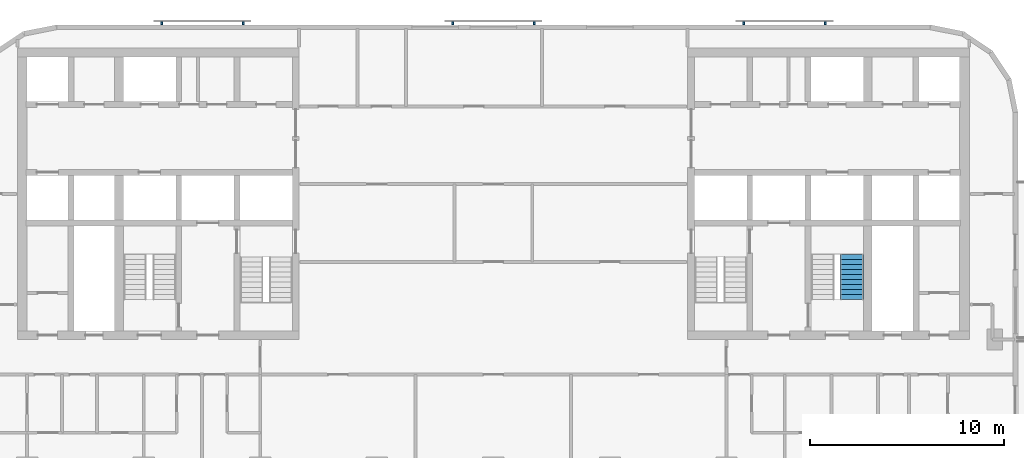
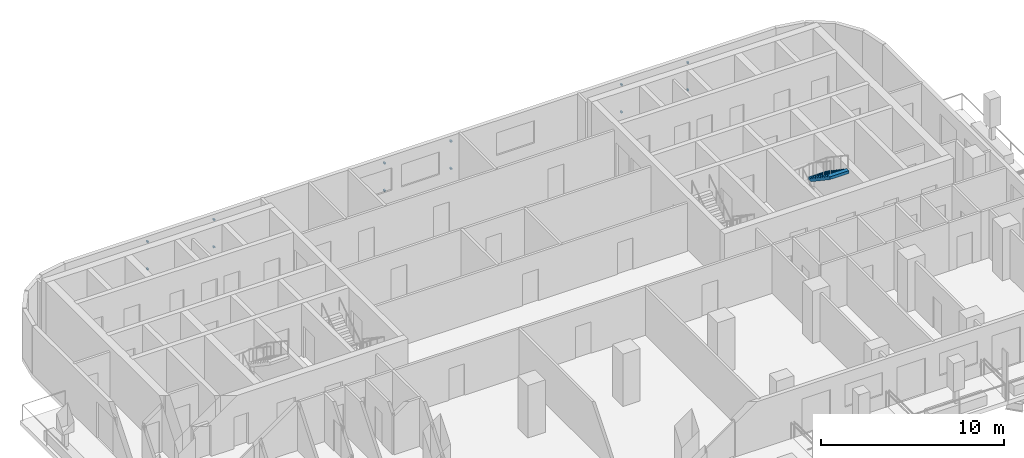
# One storey, part 8 of 11: 12 discrete accessories, 1 stair flight, 1 element without a shape of its own.
"""IFC4 building model written with IfcOpenShell, lengths in metres."""

from ifc_helpers import new_model, si_unit, direction, frame, origin, origin_2d, place, context, subcontext, project, spatial, polyline, rectangle, outline, extrude, material, type_object, element, aggregate, save


model = new_model("IFC4")

# Units and contexts
model_context = context("Model", 3, precision=1e-05, world=origin(), true_north=direction((0.0, 1.0)))
body_context = subcontext(model_context, "Body", "Model", "MODEL_VIEW")
ifc_project = project(units=[si_unit("LENGTHUNIT", "METRE"), si_unit("AREAUNIT", "SQUARE_METRE"), si_unit("VOLUMEUNIT", "CUBIC_METRE"), si_unit("PLANEANGLEUNIT", "RADIAN"), si_unit("MASSUNIT", "GRAM", prefix="KILO")], contexts=[model_context])

# Site, building, storey
site_placement = place(None, origin())
site = spatial("IfcSite", under=ifc_project, at=site_placement, CompositionType="ELEMENT")
building_placement = place(site_placement, origin())
building = spatial("IfcBuilding", under=site, at=building_placement, Name="Torana Hotel and Residences", CompositionType="ELEMENT")
storey_placement = place(building_placement, frame((0.0, 0.0, 183.60009765625)))
storey = spatial("IfcBuildingStorey", under=building, at=storey_placement, Name="L47", CompositionType="ELEMENT", Elevation=183.60009765625)

# Stair, stair flight
ifc_material_1 = material(Name="Concrete C40/50 precast", Category="concrete")
stair_type = type_object("IfcStairType", Name="STAIR ST4 HALF TURN 1200", PredefinedType="HALF_TURN_STAIR", material=ifc_material_1)
stair_placement = place(storey_placement, origin())
stair = element("IfcStair", 1, at=stair_placement, inside=storey, type_object=stair_type, Name="Stair ST4 L47", PredefinedType="HALF_TURN_STAIR")
ifc_material_2 = material(Name="Concrete C40/50 precast", Category="concrete")
stair_flight_type = type_object("IfcStairFlightType", Name="STAIR FLIGHT 1200 PRECAST", PredefinedType="STRAIGHT", material=ifc_material_2)
stair_flight_placement = place(storey_placement, frame((18.449951171875, -10.610107421875, 1.75), z_axis=(0.0, 0.0, 1.0), x_axis=(0.0, -1.0, 0.0)))
stair_flight = element("IfcStairFlight", 2, at=stair_flight_placement, type_object=stair_flight_type, Name="ST4 flight 2", NumberOfRisers=10, NumberOfTreads=9, PredefinedType="STRAIGHT", RiserHeight=0.175, TreadLength=0.26, context=body_context, shape_type="SweptSolid", body=[
    extrude(outline(polyline([(0.0, 0.0), (0.0, 0.175048828125), (0.260009765625, 0.175048828125), (0.260009765625, 0.35009765625), (0.52001953125, 0.35009765625), (0.52001953125, 0.52490234375), (0.780029296875, 0.52490234375), (0.780029296875, 0.699951171875), (1.0400390625, 0.699951171875), (1.0400390625, 0.875), (1.300048828125, 0.875), (1.300048828125, 1.050048828125), (1.56005859375, 1.050048828125), (1.56005859375, 1.22509765625), (1.820068359375, 1.22509765625), (1.820068359375, 1.39990234375), (2.080078125, 1.39990234375), (2.080078125, 1.574951171875), (2.340087890625, 1.574951171875), (2.340087890625, 1.75), (2.340087890625, 1.394287109375), (0.2685546875, 0.0), (0.0, 0.0)])), frame((0.0, 0.60009765625, 0.0), z_axis=(0.0, -1.0, 0.0), x_axis=(1.0, 0.0, 0.0)), (0.0, 0.0, 1.0), 1.199951171875),
])
aggregate(stair, [stair_flight])

# Discrete accessories
ifc_material_3 = material(Name="Steel S355", Category="steel")
discrete_accessory_type = type_object("IfcDiscreteAccessoryType", Name="SCREEN BRACKET 100", PredefinedType="BRACKET", material=ifc_material_3)
for number, where, z_axis, x_axis, name in (
    (3, (17.08349609375, 1.27490234375, 0.749755859375), (0.0, 0.0, 1.0), (-1.0, 0.0, 0.0), "Screen bracket L47"),
    (4, (17.08349609375, 1.27490234375, 2.56982421875), (0.0, 0.0, 1.0), (-1.0, 0.0, 0.0), "Screen bracket L47"),
    (5, (12.883544921875, 1.27490234375, 0.749755859375), (0.0, 0.0, 1.0), (-1.0, 0.0, 0.0), "Screen bracket L47"),
    (6, (12.883544921875, 1.27490234375, 2.56982421875), (0.0, 0.0, 1.0), (-1.0, 0.0, 0.0), "Screen bracket L47"),
    (7, (2.10009765625, 1.27490234375, 0.749755859375), (0.0, 0.0, 1.0), (-1.0, 0.0, 0.0), "Screen bracket L47"),
    (8, (2.10009765625, 1.27490234375, 2.56982421875), (0.0, 0.0, 1.0), (-1.0, 0.0, 0.0), "Screen bracket L47"),
    (9, (-2.10009765625, 1.27490234375, 0.749755859375), (0.0, 0.0, 1.0), (-1.0, 0.0, 0.0), "Screen bracket L47"),
    (10, (-2.10009765625, 1.27490234375, 2.56982421875), (0.0, 0.0, 1.0), (-1.0, 0.0, 0.0), "Screen bracket L47"),
    (11, (-12.883544921875, 1.27490234375, 0.749755859375), (0.0, 0.0, 1.0), (-1.0, 0.0, 0.0), "Screen bracket L47"),
    (12, (-12.883544921875, 1.27490234375, 2.56982421875), (0.0, 0.0, 1.0), (-1.0, 0.0, 0.0), "Screen bracket L47"),
    (13, (-17.08349609375, 1.27490234375, 0.749755859375), (0.0, 0.0, 1.0), (-1.0, 0.0, 0.0), "Screen bracket L47"),
    (14, (-17.08349609375, 1.27490234375, 2.56982421875), (0.0, 0.0, 1.0), (-1.0, 0.0, 0.0), "Screen bracket L47"),
):
    element("IfcDiscreteAccessory", number, at=place(storey_placement, frame(where, z_axis=z_axis, x_axis=x_axis)), inside=storey, type_object=discrete_accessory_type, Name=name, PredefinedType="BRACKET", context=body_context, shape_type="SweptSolid", body=[
        extrude(rectangle(XDim=0.10009765625, YDim=0.14990234375, at=origin_2d()), origin(), (0.0, 0.0, 1.0), 0.10009765625),
    ])

save(model, "model.ifc")
